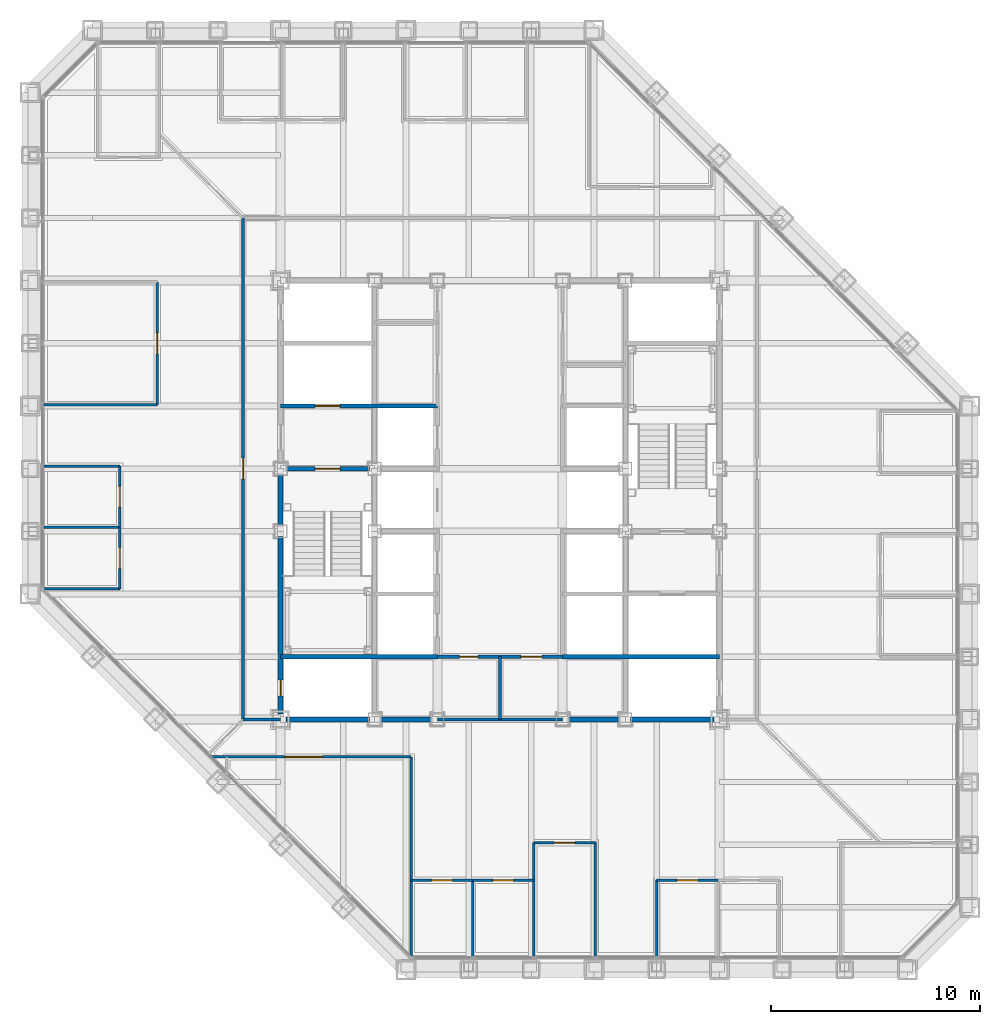
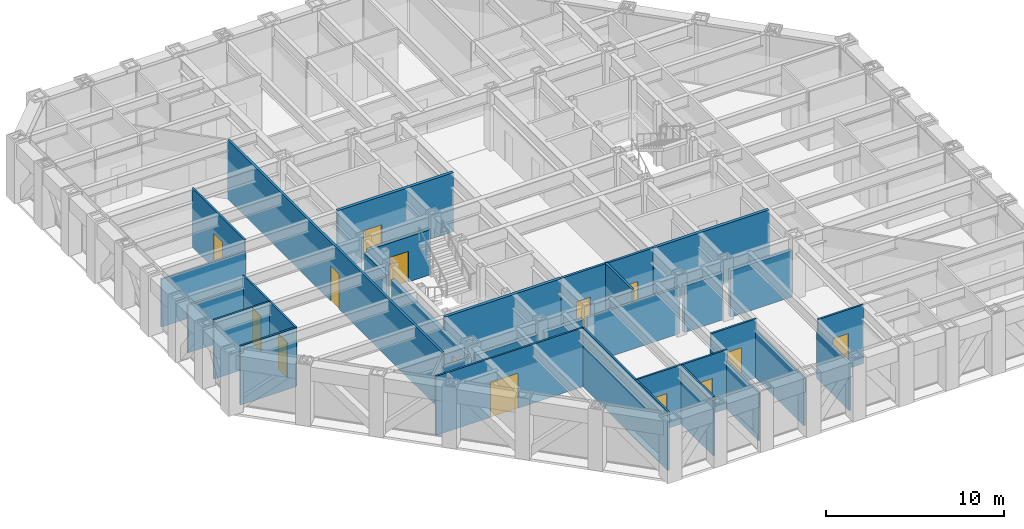
# One storey, part 10 of 17: 32 walls, 14 doors, 14 openings.
"""IFC4 building model written with IfcOpenShell, lengths in metres."""

from ifc_helpers import new_model, si_unit, direction, frame, frame_2d, origin, place, context, subcontext, project, spatial, rectangle, extrude, material, layer, layer_set, type_object, element, fill, save


model = new_model("IFC4")

# Units and contexts
model_context = context("Model", 3, precision=1e-05, world=origin(), true_north=direction((0.0, 1.0)))
body_context = subcontext(model_context, "Body", "Model", "MODEL_VIEW")
ifc_project = project(units=[si_unit("LENGTHUNIT", "METRE"), si_unit("AREAUNIT", "SQUARE_METRE"), si_unit("VOLUMEUNIT", "CUBIC_METRE"), si_unit("PLANEANGLEUNIT", "RADIAN"), si_unit("MASSUNIT", "GRAM", prefix="KILO")], contexts=[model_context])

# Site, building, storey
site_placement = place(None, origin())
site = spatial("IfcSite", under=ifc_project, at=site_placement, CompositionType="ELEMENT")
building_placement = place(site_placement, origin())
building = spatial("IfcBuilding", under=site, at=building_placement, Name="Chuquiago Exchange Tower", CompositionType="ELEMENT")
storey_placement = place(building_placement, frame((0.0, 0.0, 169.800048828125)))
storey = spatial("IfcBuildingStorey", under=building, at=storey_placement, Name="L37", CompositionType="ELEMENT", Elevation=169.800048828125)

# Wall, opening, door
ifc_material_1 = material(Name="Concrete masonry, fully grouted", Category="masonry")
ifc_layer_1 = layer(ifc_material_1, 0.25)
ifc_layer_set_1 = layer_set([ifc_layer_1], Name="W1 core wall 250")
wall_type_1 = type_object("IfcWallType", Name="W1 core wall 250", PredefinedType="SOLIDWALL", material=ifc_layer_set_1)
wall_1_placement = place(storey_placement, frame((12.0, 12.25, 0.0), z_axis=(0.0, 0.0, 1.0), x_axis=(0.0, 1.0, 0.0)))
wall_1 = element("IfcWall", 1, at=wall_1_placement, inside=storey, type_object=wall_type_1, Name="CW-L37-00-0", PredefinedType="SOLIDWALL", context=body_context, shape_type="SweptSolid", body=[
    extrude(rectangle(XDim=8.5, YDim=0.25, at=frame_2d((4.25, 0.0))), origin(), (0.0, 0.0, 1.0), 3.11279296875),
])
opening_1_placement = place(wall_1_placement, frame((0.875, 0.0, 0.0)))
opening_1 = element("IfcOpeningElement", 2, at=opening_1_placement, cuts=wall_1, Name="Opening L37-007", PredefinedType="OPENING", context=body_context, shape_type="SweptSolid", body=[
    extrude(rectangle(XDim=0.75, YDim=2.10009765625, at=frame_2d((0.375, 1.050048828125))), frame((0.0, 0.135009765625, 0.0), z_axis=(0.0, -1.0, 0.0), x_axis=(1.0, 0.0, 0.0)), (0.0, 0.0, 1.0), 0.27001953125),
])
ifc_material_2 = material(Name="Steel door, painted", Category="steel")
door_type_1 = type_object("IfcDoorType", Name="D6 riser access door 750x2100", OperationType="SINGLE_SWING_LEFT", PredefinedType="DOOR", material=ifc_material_2)
door_1_placement = place(opening_1_placement, frame((0.75, 0.0, 0.0), z_axis=(0.0, 0.0, 1.0), x_axis=(-1.0, 0.0, 0.0)))
door_1 = element("IfcDoor", 3, at=door_1_placement, inside=storey, type_object=door_type_1, Name="Riser RW1 door", OperationType="SINGLE_SWING_RIGHT", OverallHeight=2.10009765625, OverallWidth=0.75, PredefinedType="DOOR", context=body_context, shape_type="SweptSolid", body=[
    extrude(rectangle(XDim=0.75, YDim=2.10009765625, at=frame_2d((0.375, 1.050048828125))), frame((0.0, 0.02490234375, 0.0), z_axis=(0.0, -1.0, 0.0), x_axis=(1.0, 0.0, 0.0)), (0.0, 0.0, 1.0), 0.050048828125),
])
fill(opening_1, door_1)

# Walls
wall_2_placement = place(storey_placement, frame((12.0, 21.25, 0.0), z_axis=(0.0, 0.0, 1.0), x_axis=(0.0, 1.0, 0.0)))
element("IfcWall", 4, at=wall_2_placement, inside=storey, type_object=wall_type_1, Name="CW-L37-00-1", PredefinedType="SOLIDWALL", context=body_context, shape_type="SweptSolid", body=[
    extrude(rectangle(XDim=2.5, YDim=0.25, at=frame_2d((1.25, 0.0))), origin(), (0.0, 0.0, 1.0), 3.11279296875),
])
wall_3_placement = place(storey_placement, frame((12.25, 12.0, 0.0), z_axis=(0.0, 0.0, 1.0), x_axis=(1.0, 0.0, 0.0)))
element("IfcWall", 5, at=wall_3_placement, inside=storey, type_object=wall_type_1, Name="CW-L37-01-0", PredefinedType="SOLIDWALL", context=body_context, shape_type="SweptSolid", body=[
    extrude(rectangle(XDim=4.0, YDim=0.25, at=frame_2d((2.0, 0.0))), origin(), (0.0, 0.0, 1.0), 3.181396484375),
])
for number, where, z_axis, x_axis, name in (
    (6, (16.75, 12.0, 0.0), (0.0, 0.0, 1.0), (1.0, 0.0, 0.0), "CW-L37-01-1"),
    (7, (25.75, 12.0, 0.0), (0.0, 0.0, 1.0), (1.0, 0.0, 0.0), "CW-L37-02-0"),
):
    element("IfcWall", number, at=place(storey_placement, frame(where, z_axis=z_axis, x_axis=x_axis)), inside=storey, type_object=wall_type_1, Name=name, PredefinedType="SOLIDWALL", context=body_context, shape_type="SweptSolid", body=[
        extrude(rectangle(XDim=2.5, YDim=0.25, at=frame_2d((1.25, 0.0))), origin(), (0.0, 0.0, 1.0), 3.181396484375),
    ])
wall_4_placement = place(storey_placement, frame((28.75, 12.0, 0.0), z_axis=(0.0, 0.0, 1.0), x_axis=(1.0, 0.0, 0.0)))
element("IfcWall", 8, at=wall_4_placement, inside=storey, type_object=wall_type_1, Name="CW-L37-02-1", PredefinedType="SOLIDWALL", context=body_context, shape_type="SweptSolid", body=[
    extrude(rectangle(XDim=4.0, YDim=0.25, at=frame_2d((2.0, 0.0))), origin(), (0.0, 0.0, 1.0), 3.181396484375),
])

# Wall, opening, door
ifc_material_3 = material(Name="Gypsum board on steel studs, acoustic insulation", Category="steel")
ifc_layer_2 = layer(ifc_material_3, 0.14990234375)
ifc_layer_set_2 = layer_set([ifc_layer_2], Name="W11 corridor wall 150")
wall_type_2 = type_object("IfcWallType", Name="W11 corridor wall 150", PredefinedType="PARTITIONING", material=ifc_layer_set_2)
wall_5_placement = place(storey_placement, frame((10.199951171875, 12.0, 0.0), z_axis=(0.0, 0.0, 1.0), x_axis=(0.0, 1.0, 0.0)))
wall_5 = element("IfcWall", 9, at=wall_5_placement, inside=storey, type_object=wall_type_2, Name="PW-L37-GW0", PredefinedType="PARTITIONING", context=body_context, shape_type="SweptSolid", body=[
    extrude(rectangle(XDim=24.0, YDim=0.14990234375, at=frame_2d((12.0, 0.0))), origin(), (0.0, 0.0, 1.0), 4.0400390625),
])
opening_2_placement = place(wall_5_placement, frame((11.5, 0.0, 0.0)))
opening_2 = element("IfcOpeningElement", 10, at=opening_2_placement, cuts=wall_5, Name="Opening L37-041", PredefinedType="OPENING", context=body_context, shape_type="SweptSolid", body=[
    extrude(rectangle(XDim=1.0, YDim=2.39990234375, at=frame_2d((0.5, 1.199951171875))), frame((0.0, 0.0849609375, 0.0), z_axis=(0.0, -1.0, 0.0), x_axis=(1.0, 0.0, 0.0)), (0.0, 0.0, 1.0), 0.169921875),
])
ifc_material_4 = material(Name="Timber door, laminate faced", Category="wood")
door_type_2 = type_object("IfcDoorType", Name="D9 room door 1000x2400", OperationType="SINGLE_SWING_LEFT", PredefinedType="DOOR", material=ifc_material_4)
door_2_placement = place(opening_2_placement, origin())
door_2 = element("IfcDoor", 11, at=door_2_placement, inside=storey, type_object=door_type_2, Name="Team area door", OperationType="SINGLE_SWING_LEFT", OverallHeight=2.39990234375, OverallWidth=1.0, PredefinedType="DOOR", context=body_context, shape_type="SweptSolid", body=[
    extrude(rectangle(XDim=1.0, YDim=2.39990234375, at=frame_2d((0.5, 1.199951171875))), frame((0.0, 0.02490234375, 0.0), z_axis=(0.0, -1.0, 0.0), x_axis=(1.0, 0.0, 0.0)), (0.0, 0.0, 1.0), 0.050048828125),
])
fill(opening_2, door_2)

# Walls
wall_6_placement = place(storey_placement, frame((10.199951171875, 12.0, 0.0), z_axis=(0.0, 0.0, 1.0), x_axis=(1.0, 0.0, 0.0)))
element("IfcWall", 12, at=wall_6_placement, inside=storey, type_object=wall_type_2, Name="PW-L37-GWS0", PredefinedType="PARTITIONING", context=body_context, shape_type="SweptSolid", body=[
    extrude(rectangle(XDim=1.800048828125, YDim=0.14990234375, at=frame_2d((0.89990234375, 0.0))), origin(), (0.0, 0.0, 1.0), 3.092529296875),
])
ifc_material_5 = material(Name="Concrete masonry, fully grouted", Category="masonry")
ifc_layer_3 = layer(ifc_material_5, 0.199951171875)
ifc_layer_set_3 = layer_set([ifc_layer_3], Name="W2 shaft wall 200")
wall_type_3 = type_object("IfcWallType", Name="W2 shaft wall 200", PredefinedType="SOLIDWALL", material=ifc_layer_set_3)
for number, where, z_axis, x_axis, name in (
    (13, (12.0, 15.0, 0.0), (0.0, 0.0, 1.0), (1.0, 0.0, 0.0), "CW-L37-03-0"),
    (14, (25.5, 15.0, 0.0), (0.0, 0.0, 1.0), (1.0, 0.0, 0.0), "CW-L37-04-0"),
):
    element("IfcWall", number, at=place(storey_placement, frame(where, z_axis=z_axis, x_axis=x_axis)), inside=storey, type_object=wall_type_3, Name=name, PredefinedType="SOLIDWALL", context=body_context, shape_type="SweptSolid", body=[
        extrude(rectangle(XDim=7.5, YDim=0.199951171875, at=frame_2d((3.75, 0.0))), origin(), (0.0, 0.0, 1.0), 4.0400390625),
    ])

# Wall, opening, door
wall_7_placement = place(storey_placement, frame((12.25, 24.0, 0.0), z_axis=(0.0, 0.0, 1.0), x_axis=(1.0, 0.0, 0.0)))
wall_7 = element("IfcWall", 15, at=wall_7_placement, inside=storey, type_object=wall_type_3, Name="CW-L37-05-0", PredefinedType="SOLIDWALL", context=body_context, shape_type="SweptSolid", body=[
    extrude(rectangle(XDim=4.0, YDim=0.199951171875, at=frame_2d((2.0, 0.0))), origin(), (0.0, 0.0, 1.0), 3.08984375),
])
opening_3_placement = place(wall_7_placement, frame((1.39990234375, 0.0, 0.0)))
opening_3 = element("IfcOpeningElement", 16, at=opening_3_placement, cuts=wall_7, Name="Opening L37-001", PredefinedType="OPENING", context=body_context, shape_type="SweptSolid", body=[
    extrude(rectangle(XDim=1.199951171875, YDim=2.10009765625, at=frame_2d((0.60009765625, 1.050048828125))), frame((0.0, 0.10986328125, 0.0), z_axis=(0.0, -1.0, 0.0), x_axis=(1.0, 0.0, 0.0)), (0.0, 0.0, 1.0), 0.219970703125),
])
ifc_material_6 = material(Name="Steel door, painted", Category="steel")
door_type_3 = type_object("IfcDoorType", Name="D4 stair door 1200x2100", OperationType="SINGLE_SWING_LEFT", PredefinedType="DOOR", material=ifc_material_6)
door_3_placement = place(opening_3_placement, frame((1.199951171875, 0.0, 0.0), z_axis=(0.0, 0.0, 1.0), x_axis=(-1.0, 0.0, 0.0)))
door_3 = element("IfcDoor", 17, at=door_3_placement, inside=storey, type_object=door_type_3, Name="Stair ST1 door", OperationType="SINGLE_SWING_RIGHT", OverallHeight=2.10009765625, OverallWidth=1.199951171875, PredefinedType="DOOR", context=body_context, shape_type="SweptSolid", body=[
    extrude(rectangle(XDim=1.199951171875, YDim=2.10009765625, at=frame_2d((0.60009765625, 1.050048828125))), frame((0.0, 0.02490234375, 0.0), z_axis=(0.0, -1.0, 0.0), x_axis=(1.0, 0.0, 0.0)), (0.0, 0.0, 1.0), 0.050048828125),
])
fill(opening_3, door_3)

wall_8_placement = place(storey_placement, frame((12.0, 27.0, 0.0), z_axis=(0.0, 0.0, 1.0), x_axis=(1.0, 0.0, 0.0)))
wall_8 = element("IfcWall", 18, at=wall_8_placement, inside=storey, type_object=wall_type_3, Name="CW-L37-07-0", PredefinedType="SOLIDWALL", context=body_context, shape_type="SweptSolid", body=[
    extrude(rectangle(XDim=7.5, YDim=0.199951171875, at=frame_2d((3.75, 0.0))), origin(), (0.0, 0.0, 1.0), 4.0400390625),
])
opening_4_placement = place(wall_8_placement, frame((1.64990234375, 0.0, 0.0)))
opening_4 = element("IfcOpeningElement", 19, at=opening_4_placement, cuts=wall_8, Name="Opening L37-005", PredefinedType="OPENING", context=body_context, shape_type="SweptSolid", body=[
    extrude(rectangle(XDim=1.199951171875, YDim=2.10009765625, at=frame_2d((0.60009765625, 1.050048828125))), frame((0.0, 0.10986328125, 0.0), z_axis=(0.0, -1.0, 0.0), x_axis=(1.0, 0.0, 0.0)), (0.0, 0.0, 1.0), 0.219970703125),
])
ifc_material_7 = material(Name="Stainless steel lift landing door", Category="steel")
door_type_4 = type_object("IfcDoorType", Name="LD2 firefighting lift landing door 1200x2100", OperationType="DOUBLE_DOOR_SLIDING", PredefinedType="DOOR", material=ifc_material_7)
door_4_placement = place(opening_4_placement, origin())
door_4 = element("IfcDoor", 20, at=door_4_placement, inside=storey, type_object=door_type_4, Name="Firefighting lift FL1 landing door", OperationType="DOUBLE_DOOR_SLIDING", OverallHeight=2.10009765625, OverallWidth=1.199951171875, PredefinedType="DOOR", context=body_context, shape_type="SweptSolid", body=[
    extrude(rectangle(XDim=1.199951171875, YDim=2.10009765625, at=frame_2d((0.60009765625, 1.050048828125))), frame((0.0, 0.02490234375, 0.0), z_axis=(0.0, -1.0, 0.0), x_axis=(1.0, 0.0, 0.0)), (0.0, 0.0, 1.0), 0.050048828125),
])
fill(opening_4, door_4)

# Wall, openings, doors
ifc_material_8 = material(Name="Gypsum board on steel studs", Category="steel")
ifc_layer_4 = layer(ifc_material_8, 0.14990234375)
ifc_layer_set_4 = layer_set([ifc_layer_4], Name="W3 core partition 150")
wall_type_4 = type_object("IfcWallType", Name="W3 core partition 150", PredefinedType="PARTITIONING", material=ifc_layer_set_4)
wall_9_placement = place(storey_placement, frame((19.5, 15.0, 0.0), z_axis=(0.0, 0.0, 1.0), x_axis=(1.0, 0.0, 0.0)))
wall_9 = element("IfcWall", 21, at=wall_9_placement, inside=storey, type_object=wall_type_4, Name="CW-L37-TF", PredefinedType="PARTITIONING", context=body_context, shape_type="SweptSolid", body=[
    extrude(rectangle(XDim=6.0, YDim=0.14990234375, at=frame_2d((3.0, 0.0))), origin(), (0.0, 0.0, 1.0), 4.0400390625),
])
opening_5_placement = place(wall_9_placement, frame((4.0, 0.0, 0.0)))
opening_5 = element("IfcOpeningElement", 22, at=opening_5_placement, cuts=wall_9, Name="Opening L37-015", PredefinedType="OPENING", context=body_context, shape_type="SweptSolid", body=[
    extrude(rectangle(XDim=1.0, YDim=2.10009765625, at=frame_2d((0.5, 1.050048828125))), frame((0.0, 0.0849609375, 0.0), z_axis=(0.0, -1.0, 0.0), x_axis=(1.0, 0.0, 0.0)), (0.0, 0.0, 1.0), 0.169921875),
])
opening_6_placement = place(wall_9_placement, frame((1.050048828125, 0.0, 0.0)))
opening_6 = element("IfcOpeningElement", 23, at=opening_6_placement, cuts=wall_9, Name="Opening L37-016", PredefinedType="OPENING", context=body_context, shape_type="SweptSolid", body=[
    extrude(rectangle(XDim=0.89990234375, YDim=2.10009765625, at=frame_2d((0.449951171875, 1.050048828125))), frame((0.0, 0.0849609375, 0.0), z_axis=(0.0, -1.0, 0.0), x_axis=(1.0, 0.0, 0.0)), (0.0, 0.0, 1.0), 0.169921875),
])
ifc_material_9 = material(Name="Timber door, laminate faced", Category="wood")
door_type_5 = type_object("IfcDoorType", Name="D7 toilet door 900x2100", OperationType="SINGLE_SWING_LEFT", PredefinedType="DOOR", material=ifc_material_9)
door_5_placement = place(opening_6_placement, origin())
door_5 = element("IfcDoor", 24, at=door_5_placement, inside=storey, type_object=door_type_5, Name="Cleaner door", OperationType="SINGLE_SWING_LEFT", OverallHeight=2.10009765625, OverallWidth=0.89990234375, PredefinedType="DOOR", context=body_context, shape_type="SweptSolid", body=[
    extrude(rectangle(XDim=0.89990234375, YDim=2.10009765625, at=frame_2d((0.449951171875, 1.050048828125))), frame((0.0, 0.02490234375, 0.0), z_axis=(0.0, -1.0, 0.0), x_axis=(1.0, 0.0, 0.0)), (0.0, 0.0, 1.0), 0.050048828125),
])
fill(opening_6, door_5)
ifc_material_10 = material(Name="Timber door, laminate faced", Category="wood")
door_type_6 = type_object("IfcDoorType", Name="D8 accessible toilet door 1000x2100", OperationType="SLIDING_TO_LEFT", PredefinedType="DOOR", material=ifc_material_10)
door_6_placement = place(opening_5_placement, origin())
door_6 = element("IfcDoor", 25, at=door_6_placement, inside=storey, type_object=door_type_6, Name="Accessible WC door", OperationType="SLIDING_TO_LEFT", OverallHeight=2.10009765625, OverallWidth=1.0, PredefinedType="DOOR", context=body_context, shape_type="SweptSolid", body=[
    extrude(rectangle(XDim=1.0, YDim=2.10009765625, at=frame_2d((0.5, 1.050048828125))), frame((0.0, 0.02490234375, 0.0), z_axis=(0.0, -1.0, 0.0), x_axis=(1.0, 0.0, 0.0)), (0.0, 0.0, 1.0), 0.050048828125),
])
fill(opening_5, door_6)

# Walls
wall_10_placement = place(storey_placement, frame((22.5, 15.0, 0.0), z_axis=(0.0, 0.0, 1.0), x_axis=(0.0, -1.0, 0.0)))
element("IfcWall", 26, at=wall_10_placement, inside=storey, type_object=wall_type_4, Name="CW-L37-TM", PredefinedType="PARTITIONING", context=body_context, shape_type="SweptSolid", body=[
    extrude(rectangle(XDim=3.0, YDim=0.14990234375, at=frame_2d((1.5, 0.0))), origin(), (0.0, 0.0, 1.0), 4.0400390625),
])
wall_11_placement = place(storey_placement, frame((19.5, 12.0, 0.0), z_axis=(0.0, 0.0, 1.0), x_axis=(1.0, 0.0, 0.0)))
element("IfcWall", 27, at=wall_11_placement, inside=storey, type_object=wall_type_4, Name="CW-L37-TB", PredefinedType="PARTITIONING", context=body_context, shape_type="SweptSolid", body=[
    extrude(rectangle(XDim=6.0, YDim=0.14990234375, at=frame_2d((3.0, 0.0))), origin(), (0.0, 0.0, 1.0), 3.181396484375),
])
ifc_material_11 = material(Name="Gypsum board on steel studs", Category="steel")
ifc_layer_5 = layer(ifc_material_11, 0.1201171875)
ifc_layer_set_5 = layer_set([ifc_layer_5], Name="W4 partition 120")
wall_type_5 = type_object("IfcWallType", Name="W4 partition 120", PredefinedType="PARTITIONING", material=ifc_layer_set_5)
wall_12_placement = place(storey_placement, frame((18.24853515625, 0.666015625, 0.0), z_axis=(0.0, 0.0, 1.0), x_axis=(0.0, 1.0, 0.0)))
element("IfcWall", 28, at=wall_12_placement, inside=storey, type_object=wall_type_5, Name="PW-L37-S01825", PredefinedType="PARTITIONING", context=body_context, shape_type="SweptSolid", body=[
    extrude(rectangle(XDim=9.533935546875, YDim=0.1201171875, at=frame_2d((4.76708984375, 0.0))), origin(), (0.0, 0.0, 1.0), 4.0400390625),
])
wall_13_placement = place(storey_placement, frame((21.186279296875, 0.652587890625, 0.0), z_axis=(0.0, 0.0, 1.0), x_axis=(0.0, 1.0, 0.0)))
element("IfcWall", 29, at=wall_13_placement, inside=storey, type_object=wall_type_5, Name="PW-L37-S02119", PredefinedType="PARTITIONING", context=body_context, shape_type="SweptSolid", body=[
    extrude(rectangle(XDim=3.6474609375, YDim=0.1201171875, at=frame_2d((1.82373046875, 0.0))), origin(), (0.0, 0.0, 1.0), 4.0400390625),
])
for number, where, z_axis, x_axis, name in (
    (30, (24.124267578125, 0.652587890625, 0.0), (0.0, 0.0, 1.0), (0.0, 1.0, 0.0), "PW-L37-S02412"),
    (31, (27.06201171875, 0.652587890625, 0.0), (0.0, 0.0, 1.0), (0.0, 1.0, 0.0), "PW-L37-S02706"),
):
    element("IfcWall", number, at=place(storey_placement, frame(where, z_axis=z_axis, x_axis=x_axis)), inside=storey, type_object=wall_type_5, Name=name, PredefinedType="PARTITIONING", context=body_context, shape_type="SweptSolid", body=[
        extrude(rectangle(XDim=5.447509765625, YDim=0.1201171875, at=frame_2d((2.7236328125, 0.0))), origin(), (0.0, 0.0, 1.0), 3.27783203125),
    ])
wall_14_placement = place(storey_placement, frame((30.0, 0.652587890625, 0.0), z_axis=(0.0, 0.0, 1.0), x_axis=(0.0, 1.0, 0.0)))
element("IfcWall", 32, at=wall_14_placement, inside=storey, type_object=wall_type_5, Name="PW-L37-S03000", PredefinedType="PARTITIONING", context=body_context, shape_type="SweptSolid", body=[
    extrude(rectangle(XDim=3.6474609375, YDim=0.1201171875, at=frame_2d((1.82373046875, 0.0))), origin(), (0.0, 0.0, 1.0), 3.27783203125),
])

# Wall, opening, door
wall_15_placement = place(storey_placement, frame((8.685546875, 10.199951171875, 0.0), z_axis=(0.0, 0.0, 1.0), x_axis=(1.0, 0.0, 0.0)))
wall_15 = element("IfcWall", 33, at=wall_15_placement, inside=storey, type_object=wall_type_5, Name="PW-L37-SF00942", PredefinedType="PARTITIONING", context=body_context, shape_type="SweptSolid", body=[
    extrude(rectangle(XDim=9.56298828125, YDim=0.1201171875, at=frame_2d((4.781494140625, 0.0))), origin(), (0.0, 0.0, 1.0), 4.0400390625),
])
opening_7_placement = place(wall_15_placement, frame((3.51220703125, 0.0, 0.0)))
opening_7 = element("IfcOpeningElement", 34, at=opening_7_placement, cuts=wall_15, Name="Opening L37-021", PredefinedType="OPENING", context=body_context, shape_type="SweptSolid", body=[
    extrude(rectangle(XDim=1.800048828125, YDim=2.39990234375, at=frame_2d((0.89990234375, 1.199951171875))), frame((0.0, 0.070068359375, 0.0), z_axis=(0.0, -1.0, 0.0), x_axis=(1.0, 0.0, 0.0)), (0.0, 0.0, 1.0), 0.14013671875),
])
ifc_material_12 = material(Name="Timber door pair, laminate faced", Category="wood")
door_type_7 = type_object("IfcDoorType", Name="D15 double room door 1800x2400", OperationType="DOUBLE_DOOR_DOUBLE_SWING", PredefinedType="DOOR", material=ifc_material_12)
door_7_placement = place(opening_7_placement, origin())
door_7 = element("IfcDoor", 35, at=door_7_placement, inside=storey, type_object=door_type_7, Name="Broker lounge door", OperationType="DOUBLE_DOOR_DOUBLE_SWING", OverallHeight=2.39990234375, OverallWidth=1.800048828125, PredefinedType="DOOR", context=body_context, shape_type="SweptSolid", body=[
    extrude(rectangle(XDim=1.800048828125, YDim=2.39990234375, at=frame_2d((0.89990234375, 1.199951171875))), frame((0.0, 0.02490234375, 0.0), z_axis=(0.0, -1.0, 0.0), x_axis=(1.0, 0.0, 0.0)), (0.0, 0.0, 1.0), 0.050048828125),
])
fill(opening_7, door_7)

wall_16_placement = place(storey_placement, frame((18.24853515625, 4.300048828125, 0.0), z_axis=(0.0, 0.0, 1.0), x_axis=(1.0, 0.0, 0.0)))
wall_16 = element("IfcWall", 36, at=wall_16_placement, inside=storey, type_object=wall_type_5, Name="PW-L37-SF01825", PredefinedType="PARTITIONING", context=body_context, shape_type="SweptSolid", body=[
    extrude(rectangle(XDim=2.937744140625, YDim=0.1201171875, at=frame_2d((1.46875, 0.0))), origin(), (0.0, 0.0, 1.0), 4.0400390625),
])
opening_8_placement = place(wall_16_placement, frame((0.968994140625, 0.0, 0.0)))
opening_8 = element("IfcOpeningElement", 37, at=opening_8_placement, cuts=wall_16, Name="Opening L37-022", PredefinedType="OPENING", context=body_context, shape_type="SweptSolid", body=[
    extrude(rectangle(XDim=1.0, YDim=2.39990234375, at=frame_2d((0.5, 1.199951171875))), frame((0.0, 0.070068359375, 0.0), z_axis=(0.0, -1.0, 0.0), x_axis=(1.0, 0.0, 0.0)), (0.0, 0.0, 1.0), 0.14013671875),
])
ifc_material_13 = material(Name="Timber frame door, full height glazed panel", Category="wood")
door_type_8 = type_object("IfcDoorType", Name="D14 glazed meeting room door 1000x2400", OperationType="SINGLE_SWING_LEFT", PredefinedType="DOOR", material=ifc_material_13)
door_8_placement = place(opening_8_placement, frame((1.0, 0.0, 0.0), z_axis=(0.0, 0.0, 1.0), x_axis=(-1.0, 0.0, 0.0)))
door_8 = element("IfcDoor", 38, at=door_8_placement, inside=storey, type_object=door_type_8, Name="Focus room door", OperationType="SINGLE_SWING_RIGHT", OverallHeight=2.39990234375, OverallWidth=1.0, PredefinedType="DOOR", context=body_context, shape_type="SweptSolid", body=[
    extrude(rectangle(XDim=1.0, YDim=2.39990234375, at=frame_2d((0.5, 1.199951171875))), frame((0.0, 0.02490234375, 0.0), z_axis=(0.0, -1.0, 0.0), x_axis=(1.0, 0.0, 0.0)), (0.0, 0.0, 1.0), 0.050048828125),
])
fill(opening_8, door_8)

wall_17_placement = place(storey_placement, frame((21.186279296875, 4.300048828125, 0.0), z_axis=(0.0, 0.0, 1.0), x_axis=(1.0, 0.0, 0.0)))
wall_17 = element("IfcWall", 39, at=wall_17_placement, inside=storey, type_object=wall_type_5, Name="PW-L37-SF02119", PredefinedType="PARTITIONING", context=body_context, shape_type="SweptSolid", body=[
    extrude(rectangle(XDim=2.93798828125, YDim=0.1201171875, at=frame_2d((1.468994140625, 0.0))), origin(), (0.0, 0.0, 1.0), 4.0400390625),
])
opening_9_placement = place(wall_17_placement, frame((0.968994140625, 0.0, 0.0)))
opening_9 = element("IfcOpeningElement", 40, at=opening_9_placement, cuts=wall_17, Name="Opening L37-023", PredefinedType="OPENING", context=body_context, shape_type="SweptSolid", body=[
    extrude(rectangle(XDim=1.0, YDim=2.39990234375, at=frame_2d((0.5, 1.199951171875))), frame((0.0, 0.070068359375, 0.0), z_axis=(0.0, -1.0, 0.0), x_axis=(1.0, 0.0, 0.0)), (0.0, 0.0, 1.0), 0.14013671875),
])
door_9_placement = place(opening_9_placement, frame((1.0, 0.0, 0.0), z_axis=(0.0, 0.0, 1.0), x_axis=(-1.0, 0.0, 0.0)))
door_9 = element("IfcDoor", 41, at=door_9_placement, inside=storey, type_object=door_type_8, Name="Focus room door", OperationType="SINGLE_SWING_LEFT", OverallHeight=2.39990234375, OverallWidth=1.0, PredefinedType="DOOR", context=body_context, shape_type="SweptSolid", body=[
    extrude(rectangle(XDim=1.0, YDim=2.39990234375, at=frame_2d((0.5, 1.199951171875))), frame((0.0, 0.02490234375, 0.0), z_axis=(0.0, -1.0, 0.0), x_axis=(1.0, 0.0, 0.0)), (0.0, 0.0, 1.0), 0.050048828125),
])
fill(opening_9, door_9)

wall_18_placement = place(storey_placement, frame((24.124267578125, 6.10009765625, 0.0), z_axis=(0.0, 0.0, 1.0), x_axis=(1.0, 0.0, 0.0)))
wall_18 = element("IfcWall", 42, at=wall_18_placement, inside=storey, type_object=wall_type_5, Name="PW-L37-SF02412", PredefinedType="PARTITIONING", context=body_context, shape_type="SweptSolid", body=[
    extrude(rectangle(XDim=2.937744140625, YDim=0.1201171875, at=frame_2d((1.46875, 0.0))), origin(), (0.0, 0.0, 1.0), 4.0400390625),
])
opening_10_placement = place(wall_18_placement, frame((0.968994140625, 0.0, 0.0)))
opening_10 = element("IfcOpeningElement", 43, at=opening_10_placement, cuts=wall_18, Name="Opening L37-024", PredefinedType="OPENING", context=body_context, shape_type="SweptSolid", body=[
    extrude(rectangle(XDim=1.0, YDim=2.39990234375, at=frame_2d((0.5, 1.199951171875))), frame((0.0, 0.070068359375, 0.0), z_axis=(0.0, -1.0, 0.0), x_axis=(1.0, 0.0, 0.0)), (0.0, 0.0, 1.0), 0.14013671875),
])
door_10_placement = place(opening_10_placement, frame((1.0, 0.0, 0.0), z_axis=(0.0, 0.0, 1.0), x_axis=(-1.0, 0.0, 0.0)))
door_10 = element("IfcDoor", 44, at=door_10_placement, inside=storey, type_object=door_type_8, Name="Meeting room door", OperationType="SINGLE_SWING_LEFT", OverallHeight=2.39990234375, OverallWidth=1.0, PredefinedType="DOOR", context=body_context, shape_type="SweptSolid", body=[
    extrude(rectangle(XDim=1.0, YDim=2.39990234375, at=frame_2d((0.5, 1.199951171875))), frame((0.0, 0.02490234375, 0.0), z_axis=(0.0, -1.0, 0.0), x_axis=(1.0, 0.0, 0.0)), (0.0, 0.0, 1.0), 0.050048828125),
])
fill(opening_10, door_10)

wall_19_placement = place(storey_placement, frame((30.0, 4.300048828125, 0.0), z_axis=(0.0, 0.0, 1.0), x_axis=(1.0, 0.0, 0.0)))
wall_19 = element("IfcWall", 45, at=wall_19_placement, inside=storey, type_object=wall_type_5, Name="PW-L37-SF03000", PredefinedType="PARTITIONING", context=body_context, shape_type="SweptSolid", body=[
    extrude(rectangle(XDim=2.93798828125, YDim=0.1201171875, at=frame_2d((1.468994140625, 0.0))), origin(), (0.0, 0.0, 1.0), 4.0400390625),
])
opening_11_placement = place(wall_19_placement, frame((0.968994140625, 0.0, 0.0)))
opening_11 = element("IfcOpeningElement", 46, at=opening_11_placement, cuts=wall_19, Name="Opening L37-025", PredefinedType="OPENING", context=body_context, shape_type="SweptSolid", body=[
    extrude(rectangle(XDim=1.0, YDim=2.39990234375, at=frame_2d((0.5, 1.199951171875))), frame((0.0, 0.070068359375, 0.0), z_axis=(0.0, -1.0, 0.0), x_axis=(1.0, 0.0, 0.0)), (0.0, 0.0, 1.0), 0.14013671875),
])
door_11_placement = place(opening_11_placement, frame((1.0, 0.0, 0.0), z_axis=(0.0, 0.0, 1.0), x_axis=(-1.0, 0.0, 0.0)))
door_11 = element("IfcDoor", 47, at=door_11_placement, inside=storey, type_object=door_type_8, Name="Focus room door", OperationType="SINGLE_SWING_RIGHT", OverallHeight=2.39990234375, OverallWidth=1.0, PredefinedType="DOOR", context=body_context, shape_type="SweptSolid", body=[
    extrude(rectangle(XDim=1.0, YDim=2.39990234375, at=frame_2d((0.5, 1.199951171875))), frame((0.0, 0.02490234375, 0.0), z_axis=(0.0, -1.0, 0.0), x_axis=(1.0, 0.0, 0.0)), (0.0, 0.0, 1.0), 0.050048828125),
])
fill(opening_11, door_11)

# Walls
wall_20_placement = place(storey_placement, frame((0.666015625, 18.24853515625, 0.0), z_axis=(0.0, 0.0, 1.0), x_axis=(1.0, 0.0, 0.0)))
element("IfcWall", 48, at=wall_20_placement, inside=storey, type_object=wall_type_5, Name="PW-L37-W01825", PredefinedType="PARTITIONING", context=body_context, shape_type="SweptSolid", body=[
    extrude(rectangle(XDim=3.634033203125, YDim=0.1201171875, at=frame_2d((1.81689453125, 0.0))), origin(), (0.0, 0.0, 1.0), 4.0400390625),
])
wall_21_placement = place(storey_placement, frame((0.652587890625, 21.186279296875, 0.0), z_axis=(0.0, 0.0, 1.0), x_axis=(1.0, 0.0, 0.0)))
element("IfcWall", 49, at=wall_21_placement, inside=storey, type_object=wall_type_5, Name="PW-L37-W02119", PredefinedType="PARTITIONING", context=body_context, shape_type="SweptSolid", body=[
    extrude(rectangle(XDim=3.6474609375, YDim=0.1201171875, at=frame_2d((1.82373046875, 0.0))), origin(), (0.0, 0.0, 1.0), 4.0400390625),
])
wall_22_placement = place(storey_placement, frame((0.652587890625, 24.124267578125, 0.0), z_axis=(0.0, 0.0, 1.0), x_axis=(1.0, 0.0, 0.0)))
element("IfcWall", 50, at=wall_22_placement, inside=storey, type_object=wall_type_5, Name="PW-L37-W02412", PredefinedType="PARTITIONING", context=body_context, shape_type="SweptSolid", body=[
    extrude(rectangle(XDim=3.6474609375, YDim=0.1201171875, at=frame_2d((1.82373046875, 0.0))), origin(), (0.0, 0.0, 1.0), 3.27783203125),
])
wall_23_placement = place(storey_placement, frame((0.652587890625, 27.06201171875, 0.0), z_axis=(0.0, 0.0, 1.0), x_axis=(1.0, 0.0, 0.0)))
element("IfcWall", 51, at=wall_23_placement, inside=storey, type_object=wall_type_5, Name="PW-L37-W02706", PredefinedType="PARTITIONING", context=body_context, shape_type="SweptSolid", body=[
    extrude(rectangle(XDim=5.447509765625, YDim=0.1201171875, at=frame_2d((2.7236328125, 0.0))), origin(), (0.0, 0.0, 1.0), 3.27783203125),
])

# Wall, opening, door
wall_24_placement = place(storey_placement, frame((4.300048828125, 18.24853515625, 0.0), z_axis=(0.0, 0.0, 1.0), x_axis=(0.0, 1.0, 0.0)))
wall_24 = element("IfcWall", 52, at=wall_24_placement, inside=storey, type_object=wall_type_5, Name="PW-L37-WF01825", PredefinedType="PARTITIONING", context=body_context, shape_type="SweptSolid", body=[
    extrude(rectangle(XDim=2.937744140625, YDim=0.1201171875, at=frame_2d((1.46875, 0.0))), origin(), (0.0, 0.0, 1.0), 4.0400390625),
])
opening_12_placement = place(wall_24_placement, frame((0.968994140625, 0.0, 0.0)))
opening_12 = element("IfcOpeningElement", 53, at=opening_12_placement, cuts=wall_24, Name="Opening L37-037", PredefinedType="OPENING", context=body_context, shape_type="SweptSolid", body=[
    extrude(rectangle(XDim=1.0, YDim=2.39990234375, at=frame_2d((0.5, 1.199951171875))), frame((0.0, 0.070068359375, 0.0), z_axis=(0.0, -1.0, 0.0), x_axis=(1.0, 0.0, 0.0)), (0.0, 0.0, 1.0), 0.14013671875),
])
door_12_placement = place(opening_12_placement, origin())
door_12 = element("IfcDoor", 54, at=door_12_placement, inside=storey, type_object=door_type_8, Name="Focus room door", OperationType="SINGLE_SWING_LEFT", OverallHeight=2.39990234375, OverallWidth=1.0, PredefinedType="DOOR", context=body_context, shape_type="SweptSolid", body=[
    extrude(rectangle(XDim=1.0, YDim=2.39990234375, at=frame_2d((0.5, 1.199951171875))), frame((0.0, 0.02490234375, 0.0), z_axis=(0.0, -1.0, 0.0), x_axis=(1.0, 0.0, 0.0)), (0.0, 0.0, 1.0), 0.050048828125),
])
fill(opening_12, door_12)

wall_25_placement = place(storey_placement, frame((4.300048828125, 21.186279296875, 0.0), z_axis=(0.0, 0.0, 1.0), x_axis=(0.0, 1.0, 0.0)))
wall_25 = element("IfcWall", 55, at=wall_25_placement, inside=storey, type_object=wall_type_5, Name="PW-L37-WF02119", PredefinedType="PARTITIONING", context=body_context, shape_type="SweptSolid", body=[
    extrude(rectangle(XDim=2.93798828125, YDim=0.1201171875, at=frame_2d((1.468994140625, 0.0))), origin(), (0.0, 0.0, 1.0), 4.0400390625),
])
opening_13_placement = place(wall_25_placement, frame((0.968994140625, 0.0, 0.0)))
opening_13 = element("IfcOpeningElement", 56, at=opening_13_placement, cuts=wall_25, Name="Opening L37-038", PredefinedType="OPENING", context=body_context, shape_type="SweptSolid", body=[
    extrude(rectangle(XDim=1.0, YDim=2.39990234375, at=frame_2d((0.5, 1.199951171875))), frame((0.0, 0.070068359375, 0.0), z_axis=(0.0, -1.0, 0.0), x_axis=(1.0, 0.0, 0.0)), (0.0, 0.0, 1.0), 0.14013671875),
])
door_13_placement = place(opening_13_placement, origin())
door_13 = element("IfcDoor", 57, at=door_13_placement, inside=storey, type_object=door_type_8, Name="Focus room door", OperationType="SINGLE_SWING_RIGHT", OverallHeight=2.39990234375, OverallWidth=1.0, PredefinedType="DOOR", context=body_context, shape_type="SweptSolid", body=[
    extrude(rectangle(XDim=1.0, YDim=2.39990234375, at=frame_2d((0.5, 1.199951171875))), frame((0.0, 0.02490234375, 0.0), z_axis=(0.0, -1.0, 0.0), x_axis=(1.0, 0.0, 0.0)), (0.0, 0.0, 1.0), 0.050048828125),
])
fill(opening_13, door_13)

wall_26_placement = place(storey_placement, frame((6.10009765625, 27.06201171875, 0.0), z_axis=(0.0, 0.0, 1.0), x_axis=(0.0, 1.0, 0.0)))
wall_26 = element("IfcWall", 58, at=wall_26_placement, inside=storey, type_object=wall_type_5, Name="PW-L37-WF02706", PredefinedType="PARTITIONING", context=body_context, shape_type="SweptSolid", body=[
    extrude(rectangle(XDim=5.8759765625, YDim=0.1201171875, at=frame_2d((2.93798828125, 0.0))), origin(), (0.0, 0.0, 1.0), 4.0400390625),
])
opening_14_placement = place(wall_26_placement, frame((2.43798828125, 0.0, 0.0)))
opening_14 = element("IfcOpeningElement", 59, at=opening_14_placement, cuts=wall_26, Name="Opening L37-039", PredefinedType="OPENING", context=body_context, shape_type="SweptSolid", body=[
    extrude(rectangle(XDim=1.0, YDim=2.39990234375, at=frame_2d((0.5, 1.199951171875))), frame((0.0, 0.070068359375, 0.0), z_axis=(0.0, -1.0, 0.0), x_axis=(1.0, 0.0, 0.0)), (0.0, 0.0, 1.0), 0.14013671875),
])
door_14_placement = place(opening_14_placement, origin())
door_14 = element("IfcDoor", 60, at=door_14_placement, inside=storey, type_object=door_type_8, Name="Meeting room door", OperationType="SINGLE_SWING_RIGHT", OverallHeight=2.39990234375, OverallWidth=1.0, PredefinedType="DOOR", context=body_context, shape_type="SweptSolid", body=[
    extrude(rectangle(XDim=1.0, YDim=2.39990234375, at=frame_2d((0.5, 1.199951171875))), frame((0.0, 0.02490234375, 0.0), z_axis=(0.0, -1.0, 0.0), x_axis=(1.0, 0.0, 0.0)), (0.0, 0.0, 1.0), 0.050048828125),
])
fill(opening_14, door_14)

save(model, "model.ifc")
